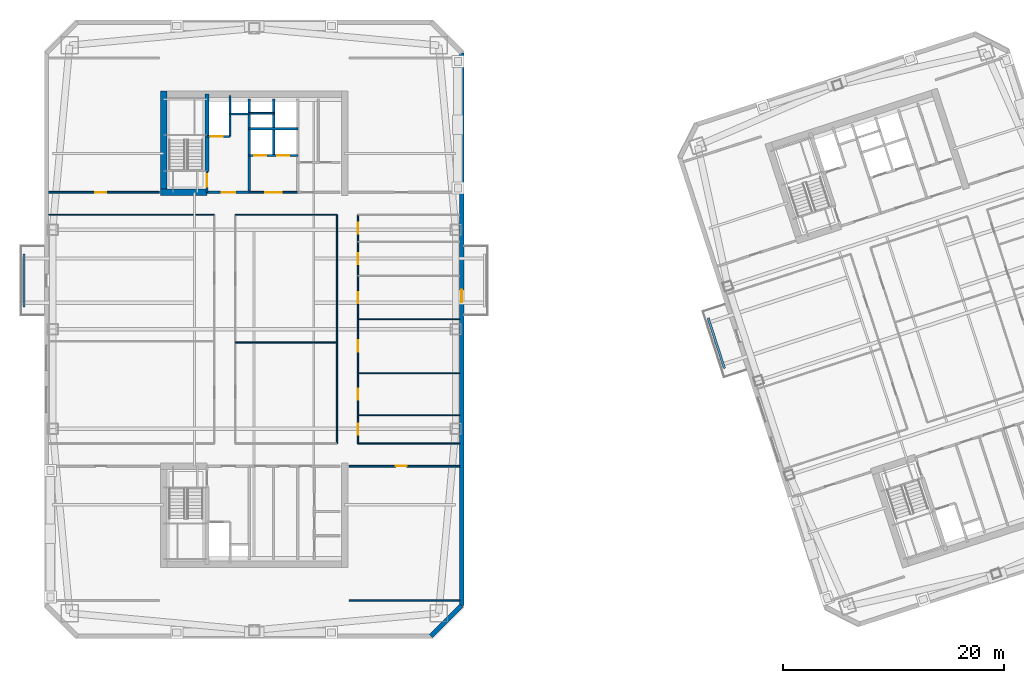
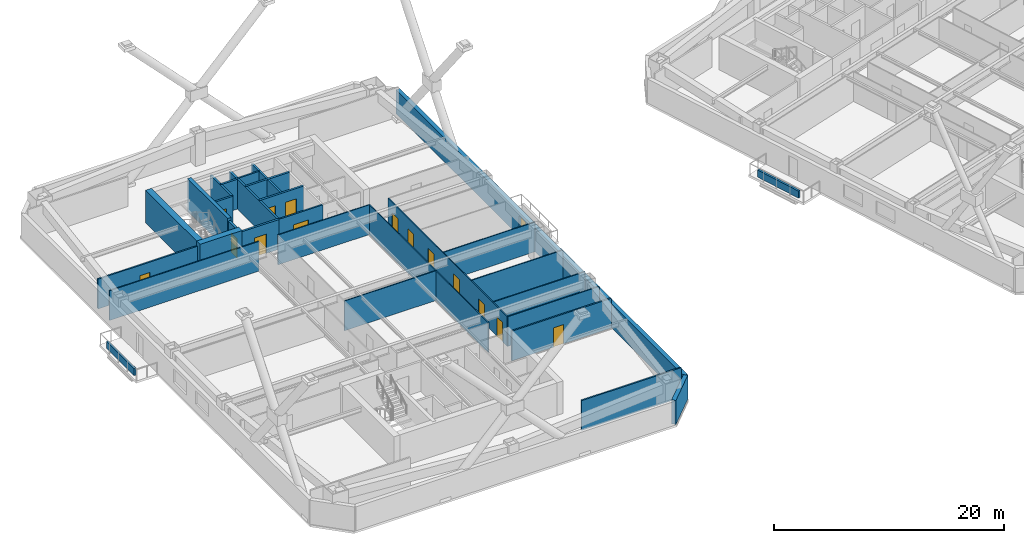
# One storey, part 7 of 17: 30 walls, 15 doors, 15 openings.
"""IFC4 building model written with IfcOpenShell, lengths in metres."""

import ifcopenshell
import ifcopenshell.guid

model = None  # the IFC model being written
_history = None  # IfcOwnerHistory: only IFC2X3 demands one
_inside = {}  # id of a spatial element -> (the spatial element, [elements in it])
_under = {}  # id of a project, library or spatial element -> (it, [spatial elements below it])
_declared = {}  # id of a project -> (the project, [libraries it declares])
_typed = {}  # id of a type object -> (the type object, [elements of that type])
_made_of = {}  # id of a material, layer set ... -> (it, [elements and type objects made of it])


def new_model(schema):
    """Start an empty IFC model of exactly this schema.

    Asked for "IFC4X3", IfcOpenShell would pick the latest addendum, in which some entities
    have other attributes; the version numbers below select the first issue.
    IFC2X3 requires an IfcOwnerHistory on every rooted entity: one is made here for all.
    """
    global model, _history
    if schema == "IFC4X3":
        model = ifcopenshell.file(schema_version=(4, 3, 0, 0))
    else:
        model = ifcopenshell.file(schema=schema)
    _inside.clear()
    _under.clear()
    _declared.clear()
    _typed.clear()
    _made_of.clear()
    _history = None
    if model.schema == "IFC2X3":
        org = make("IfcOrganization", Name="unknown")
        user = make(
            "IfcPersonAndOrganization",
            ThePerson=make("IfcPerson", FamilyName="unknown"),
            TheOrganization=org,
        )
        app = make(
            "IfcApplication",
            ApplicationDeveloper=org,
            Version="unknown",
            ApplicationFullName="unknown",
            ApplicationIdentifier="unknown",
        )
        _history = make(
            "IfcOwnerHistory",
            OwningUser=user,
            OwningApplication=app,
            ChangeAction="ADDED",
            CreationDate=0,
        )
    return model


def make(cls, **values):
    """One entity of the class cls with the attributes given. An attribute that is None is left unset."""
    return model.create_entity(
        cls, **{name: value for name, value in values.items() if value is not None}
    )


def rooted(cls, **values):
    """An entity with a GlobalId (a new one), such as an element, a storey or a relation."""
    return make(cls, GlobalId=ifcopenshell.guid.new(), OwnerHistory=_history, **values)


def si_unit(unit_type, name, prefix=None):
    """IfcSIUnit, for example si_unit("LENGTHUNIT", "METRE", prefix="MILLI")."""
    return make("IfcSIUnit", UnitType=unit_type, Prefix=prefix, Name=name)


def assignment(units):
    """IfcUnitAssignment: the units of a project."""
    return None if units is None else make("IfcUnitAssignment", Units=units)


def point(xyz):
    """IfcCartesianPoint."""
    return None if xyz is None else make("IfcCartesianPoint", Coordinates=xyz)


def direction(xyz):
    """IfcDirection."""
    return None if xyz is None else make("IfcDirection", DirectionRatios=xyz)


def frame(location, z_axis=None, x_axis=None):
    """IfcAxis2Placement3D, a coordinate frame: its origin and axes. An axis left out is left unset."""
    return make(
        "IfcAxis2Placement3D",
        Location=point(location),
        Axis=direction(z_axis),
        RefDirection=direction(x_axis),
    )


def frame_2d(location, x_axis=None):
    """IfcAxis2Placement2D, a coordinate frame in the plane: its origin and x axis."""
    return make(
        "IfcAxis2Placement2D", Location=point(location), RefDirection=direction(x_axis)
    )


def origin():
    """The frame at (0, 0, 0) with its axes left unset."""
    return frame((0.0, 0.0, 0.0))


def place(relative_to, where):
    """IfcLocalPlacement: puts the frame where relative to a parent placement (None: the world)."""
    return make(
        "IfcLocalPlacement", PlacementRelTo=relative_to, RelativePlacement=where
    )


def context(
    kind, dimensions, precision=None, world=None, true_north=None, identifier=None
):
    """IfcGeometricRepresentationContext, for example the 3D "Model" context."""
    return make(
        "IfcGeometricRepresentationContext",
        ContextIdentifier=identifier,
        ContextType=kind,
        CoordinateSpaceDimension=dimensions,
        Precision=precision,
        WorldCoordinateSystem=world,
        TrueNorth=true_north,
    )


def subcontext(parent, identifier, kind, view, scale=None):
    """IfcGeometricRepresentationSubContext, for example "Body" below "Model"."""
    return make(
        "IfcGeometricRepresentationSubContext",
        ContextIdentifier=identifier,
        ContextType=kind,
        ParentContext=parent,
        TargetScale=scale,
        TargetView=view,
    )


def project(units=None, contexts=None):
    """IfcProject with its units and contexts."""
    return rooted(
        "IfcProject",
        Name="project",
        RepresentationContexts=contexts,
        UnitsInContext=assignment(units),
    )


def spatial(cls, under=None, at=None, **own):
    """A site, building, storey or space (cls), placed at a placement, below another one or the project."""
    s = rooted(cls, ObjectPlacement=at, **own)
    if under is not None:
        _under.setdefault(under.id(), (under, []))[1].append(s)
    return s


def profile(cls, at=None, kind="AREA", **sizes):
    """A parametric profile (cls). Its sizes go by their IFC names, for example OverallWidth=200.0."""
    return make(cls, ProfileType=kind, Position=at, **sizes)


def rectangle(**sizes):
    """IfcRectangleProfileDef."""
    return profile("IfcRectangleProfileDef", **sizes)


def extrude(swept, where, along, depth):
    """IfcExtrudedAreaSolid: the profile swept, set in the frame where, extruded along a direction by depth."""
    return make(
        "IfcExtrudedAreaSolid",
        SweptArea=swept,
        Position=where,
        ExtrudedDirection=direction(along),
        Depth=depth,
    )


def shape(context_of_items, identifier, shape_type, items):
    """IfcShapeRepresentation: the items that make up one representation, for example the "Body"."""
    return make(
        "IfcShapeRepresentation",
        ContextOfItems=context_of_items,
        RepresentationIdentifier=identifier,
        RepresentationType=shape_type,
        Items=items,
    )


def material(Name=None, Category=None):
    """IfcMaterial."""
    return make("IfcMaterial", Name=Name, Category=Category)


def layer(
    of_material, thickness, ventilated=None, Name=None, Category=None, Priority=None
):
    """IfcMaterialLayer: one layer of a wall or slab, of a material (None: an air gap)."""
    return make(
        "IfcMaterialLayer",
        Material=of_material,
        LayerThickness=thickness,
        IsVentilated=ventilated,
        Name=Name,
        Category=Category,
        Priority=Priority,
    )


def layer_set(layers, Name=None):
    """IfcMaterialLayerSet."""
    return make("IfcMaterialLayerSet", MaterialLayers=layers, LayerSetName=Name)


def made_of(thing, what):
    """Note that an element or type object is made of a material, layer set ...; save() writes the relation."""
    if what is not None:
        _made_of.setdefault(what.id(), (what, []))[1].append(thing)
    return thing


def type_object(cls, material=None, **own):
    """A type object (cls), such as IfcWallType, which elements share."""
    return made_of(rooted(cls, **own), material)


def element(
    cls,
    number,
    at=None,
    inside=None,
    cuts=None,
    type_object=None,
    material=None,
    context=None,
    identifier="Body",
    shape_type=None,
    held_by="IfcProductDefinitionShape",
    body=None,
    shapes=None,
    **own,
):
    """One element of the class cls, such as IfcWall. Its Tag is "e" and its number.

    at: its placement. inside: the storey or other place that contains it. cuts: it is an
    opening in that element (IfcRelVoidsElement). A single representation is given by context,
    identifier, shape_type and body (its items); several are given by shapes. held_by: the class
    of the entity that holds the representations. save() writes the other relations.
    """
    e = rooted(cls, Tag="e%d" % number, ObjectPlacement=at, **own)
    if body is not None:
        shapes = [shape(context, identifier, shape_type, body)]
    if shapes is not None:
        e.Representation = make(held_by, Representations=shapes)
    if inside is not None:
        _inside.setdefault(inside.id(), (inside, []))[1].append(e)
    if cuts is not None:
        rooted(
            "IfcRelVoidsElement", RelatingBuildingElement=cuts, RelatedOpeningElement=e
        )
    if type_object is not None:
        _typed.setdefault(type_object.id(), (type_object, []))[1].append(e)
    return made_of(e, material)


def fill(opening, filler):
    """IfcRelFillsElement: the door or window that sits in an opening."""
    return rooted(
        "IfcRelFillsElement",
        RelatingOpeningElement=opening,
        RelatedBuildingElement=filler,
    )


def aggregate(whole, parts):
    """IfcRelAggregates: a whole, such as a stair, and the parts it consists of."""
    return rooted("IfcRelAggregates", RelatingObject=whole, RelatedObjects=parts)


def save(model, path):
    """Write the relations noted so far, then the file.

    IfcRelAggregates (storeys below a building ...), IfcRelContainedInSpatialStructure (elements
    in a storey), IfcRelDefinesByType, IfcRelAssociatesMaterial and IfcRelDeclares: one each for
    every whole, place, type object, material and project.
    """
    for whole, parts in _under.values():
        aggregate(whole, parts)
    for where, things in _inside.values():
        rooted(
            "IfcRelContainedInSpatialStructure",
            RelatedElements=things,
            RelatingStructure=where,
        )
    for kind, things in _typed.values():
        rooted("IfcRelDefinesByType", RelatedObjects=things, RelatingType=kind)
    for what, things in _made_of.values():
        rooted("IfcRelAssociatesMaterial", RelatedObjects=things, RelatingMaterial=what)
    for by, libraries in _declared.values():
        rooted("IfcRelDeclares", RelatingContext=by, RelatedDefinitions=libraries)
    model.write(path)


model = new_model("IFC4")

# Units and contexts
model_context = context("Model", 3, precision=1e-05, world=origin(), true_north=direction((0.0, 1.0)))
body_context = subcontext(model_context, "Body", "Model", "MODEL_VIEW")
ifc_project = project(units=[si_unit("LENGTHUNIT", "METRE"), si_unit("AREAUNIT", "SQUARE_METRE"), si_unit("VOLUMEUNIT", "CUBIC_METRE"), si_unit("PLANEANGLEUNIT", "RADIAN"), si_unit("MASSUNIT", "GRAM", prefix="KILO")], contexts=[model_context])

# Site, building, storey
site_placement = place(None, origin())
site = spatial("IfcSite", under=ifc_project, at=site_placement, CompositionType="ELEMENT")
building_placement = place(site_placement, origin())
building = spatial("IfcBuilding", under=site, at=building_placement, Name="Qiaolan Cultural Towers", CompositionType="ELEMENT")
storey_placement = place(building_placement, frame((0.0, 0.0, 134.550048828125)))
storey = spatial("IfcBuildingStorey", under=building, at=storey_placement, Name="L35", CompositionType="ELEMENT", Elevation=134.550048828125)

# Walls
ifc_material_1 = material(Name="Concrete C50", Category="concrete")
ifc_layer_1 = layer(ifc_material_1, 0.35009765625)
ifc_layer_set_1 = layer_set([ifc_layer_1], Name="Concrete C50")
wall_type_1 = type_object("IfcWallType", Name="WL-CORE-350", PredefinedType="SHEAR", material=ifc_layer_set_1)
wall_1_placement = place(storey_placement, frame((25.719970703125, 48.300048828125, 0.0), z_axis=(0.0, 0.0, 1.0), x_axis=(0.0, 1.0, 0.0)))
element("IfcWall", 1, at=wall_1_placement, inside=storey, type_object=wall_type_1, Name="L35 T1-CN Stair Core Dividing Web", PredefinedType="SHEAR", context=body_context, shape_type="SweptSolid", body=[
    extrude(rectangle(XDim=6.97998046875, YDim=0.35009765625, at=frame_2d((3.489990234375, 0.0))), origin(), (0.0, 0.0, 1.0), 3.449951171875),
])
ifc_material_2 = material(Name="Concrete C55", Category="concrete")
ifc_layer_2 = layer(ifc_material_2, 0.60009765625)
ifc_layer_set_2 = layer_set([ifc_layer_2], Name="Concrete C55")
wall_type_2 = type_object("IfcWallType", Name="WL-CORE-600", PredefinedType="SHEAR", material=ifc_layer_set_2)
wall_2_placement = place(storey_placement, frame((21.800048828125, 46.10009765625, 0.0), z_axis=(0.0, 0.0, 1.0), x_axis=(0.0, 1.0, 0.0)))
element("IfcWall", 2, at=wall_2_placement, inside=storey, type_object=wall_type_2, Name="L35 T1-CN West Core Shear Wall", PredefinedType="SHEAR", context=body_context, shape_type="SweptSolid", body=[
    extrude(rectangle(XDim=9.47998046875, YDim=0.60009765625, at=frame_2d((4.739990234375, 0.0))), origin(), (0.0, 0.0, 1.0), 3.449951171875),
])
wall_3_placement = place(storey_placement, frame((21.5, 46.39990234375, 0.0), z_axis=(0.0, 0.0, 1.0), x_axis=(1.0, 0.0, 0.0)))
element("IfcWall", 3, at=wall_3_placement, inside=storey, type_object=wall_type_2, Name="L35 T1-CN Stair Front Shear Wall", PredefinedType="SHEAR", context=body_context, shape_type="SweptSolid", body=[
    extrude(rectangle(XDim=4.219970703125, YDim=0.60009765625, at=frame_2d((2.10986328125, 0.0))), origin(), (0.0, 0.0, 1.0), 3.449951171875),
])

# Wall, opening, door
ifc_material_3 = material(Name="Precast Concrete C50 Honed Stone Pier", Category="masonry")
ifc_layer_3 = layer(ifc_material_3, 0.39990234375)
ifc_layer_set_3 = layer_set([ifc_layer_3], Name="Precast Concrete C50 Honed Stone Pier")
wall_type_3 = type_object("IfcWallType", Name="WL-EXT-PIER-400", PredefinedType="SOLIDWALL", material=ifc_layer_set_3)
wall_4_placement = place(storey_placement, frame((48.800048828125, 59.0, 0.0), z_axis=(0.0, 0.0, 1.0), x_axis=(0.0, -1.0, 0.0)))
wall_4 = element("IfcWall", 4, at=wall_4_placement, inside=storey, type_object=wall_type_3, Name="L35 West Tower Precast Pier Facade Wall F5", PredefinedType="SOLIDWALL", context=body_context, shape_type="SweptSolid", body=[
    extrude(rectangle(XDim=50.0, YDim=0.39990234375, at=frame_2d((25.0, 0.0))), origin(), (0.0, 0.0, 1.0), 2.550048828125),
])
opening_1_placement = place(wall_4_placement, frame((21.435546875, 0.0, 0.0)))
opening_1 = element("IfcOpeningElement", 5, at=opening_1_placement, cuts=wall_4, Name="Opening BD-01", PredefinedType="OPENING", context=body_context, shape_type="SweptSolid", body=[
    extrude(rectangle(XDim=1.10009765625, YDim=2.14990234375, at=frame_2d((0.550048828125, 1.074951171875))), frame((0.0, 0.2099609375, 0.0), z_axis=(0.0, -1.0, 0.0), x_axis=(1.0, 0.0, 0.0)), (0.0, 0.0, 1.0), 0.419921875),
])
ifc_material_4 = material(Name="Thermally Broken Aluminium Glazed Terrace Door", Category="aluminium")
door_type_1 = type_object("IfcDoorType", Name="DR-BAL-1100", OperationType="NOTDEFINED", PredefinedType="DOOR", material=ifc_material_4)
door_1_placement = place(opening_1_placement, origin())
door_1 = element("IfcDoor", 6, at=door_1_placement, inside=storey, type_object=door_type_1, Name="L35 T1 East Tree Balcony Door", OperationType="SINGLE_SWING_RIGHT", OverallHeight=2.14990234375, OverallWidth=1.10009765625, PredefinedType="DOOR", context=body_context, shape_type="SweptSolid", body=[
    extrude(rectangle(XDim=1.10009765625, YDim=2.14990234375, at=frame_2d((0.550048828125, 1.074951171875))), frame((0.0, 0.02490234375, 0.0), z_axis=(0.0, -1.0, 0.0), x_axis=(1.0, 0.0, 0.0)), (0.0, 0.0, 1.0), 0.050048828125),
])
fill(opening_1, door_1)

# Wall
wall_5_placement = place(storey_placement, frame((48.800048828125, 9.0, 0.0), z_axis=(0.0, 0.0, 1.0), x_axis=(-0.707106781187, -0.707106781187, 0.0)))
element("IfcWall", 7, at=wall_5_placement, inside=storey, type_object=wall_type_3, Name="L35 West Tower Precast Pier Facade Wall F6", PredefinedType="SOLIDWALL", context=body_context, shape_type="SweptSolid", body=[
    extrude(rectangle(XDim=3.9599609375, YDim=0.39990234375, at=frame_2d((1.97998046875, 0.0))), origin(), (0.0, 0.0, 1.0), 2.550048828125),
])

# Wall, opening, door
ifc_material_5 = material(Name="Concrete C35 Fire Wall", Category="concrete")
ifc_layer_4 = layer(ifc_material_5, 0.199951171875)
ifc_layer_set_4 = layer_set([ifc_layer_4], Name="Concrete C35 Fire Wall")
wall_type_4 = type_object("IfcWallType", Name="WL-FIRE-200", PredefinedType="PARTITIONING", material=ifc_layer_set_4)
wall_6_placement = place(storey_placement, frame((25.719970703125, 46.39990234375, 0.0), z_axis=(0.0, 0.0, 1.0), x_axis=(0.0, 1.0, 0.0)))
wall_6 = element("IfcWall", 8, at=wall_6_placement, inside=storey, type_object=wall_type_4, Name="L35 T1-CN Smokeproof Stair Entry Wall", PredefinedType="PARTITIONING", context=body_context, shape_type="SweptSolid", body=[
    extrude(rectangle(XDim=1.900146484375, YDim=0.199951171875, at=frame_2d((0.9501953125, 0.0))), origin(), (0.0, 0.0, 1.0), 3.155029296875),
])
opening_2_placement = place(wall_6_placement, frame((0.52001953125, 0.0, 0.0)))
opening_2 = element("IfcOpeningElement", 9, at=opening_2_placement, cuts=wall_6, Name="Opening FD-04", PredefinedType="OPENING", context=body_context, shape_type="SweptSolid", body=[
    extrude(rectangle(XDim=1.10009765625, YDim=2.050048828125, at=frame_2d((0.550048828125, 1.02490234375))), frame((0.0, 0.10986328125, 0.0), z_axis=(0.0, -1.0, 0.0), x_axis=(1.0, 0.0, 0.0)), (0.0, 0.0, 1.0), 0.219970703125),
])
ifc_material_6 = material(Name="Galvanized Steel Command Fire Door", Category="steel")
door_type_2 = type_object("IfcDoorType", Name="DR-FD90-1100", OperationType="NOTDEFINED", PredefinedType="DOOR", material=ifc_material_6)
door_2_placement = place(opening_2_placement, origin())
door_2 = element("IfcDoor", 10, at=door_2_placement, inside=storey, type_object=door_type_2, Name="L35 ST-W2 Smokeproof Stair Fire Door", OperationType="SINGLE_SWING_LEFT", OverallHeight=2.050048828125, OverallWidth=1.10009765625, PredefinedType="DOOR", context=body_context, shape_type="SweptSolid", body=[
    extrude(rectangle(XDim=1.10009765625, YDim=2.050048828125, at=frame_2d((0.550048828125, 1.02490234375))), frame((0.0, 0.02490234375, 0.0), z_axis=(0.0, -1.0, 0.0), x_axis=(1.0, 0.0, 0.0)), (0.0, 0.0, 1.0), 0.050048828125),
])
fill(opening_2, door_2)

# Wall
wall_7_placement = place(storey_placement, frame((29.550048828125, 46.39990234375, 0.0), z_axis=(0.0, 0.0, 1.0), x_axis=(0.0, 1.0, 0.0)))
element("IfcWall", 11, at=wall_7_placement, inside=storey, type_object=wall_type_4, Name="L35 T1-CN Firefighting Zone Wall", PredefinedType="PARTITIONING", context=body_context, shape_type="SweptSolid", body=[
    extrude(rectangle(XDim=8.43017578125, YDim=0.199951171875, at=frame_2d((4.215087890625, 0.0))), origin(), (0.0, 0.0, 1.0), 3.155029296875),
])

# Wall, opening, door
wall_8_placement = place(storey_placement, frame((25.719970703125, 46.39990234375, 0.0), z_axis=(0.0, 0.0, 1.0), x_axis=(1.0, 0.0, 0.0)))
wall_8 = element("IfcWall", 12, at=wall_8_placement, inside=storey, type_object=wall_type_4, Name="L35 T1-CN Firefighting Lobby Front Wall", PredefinedType="PARTITIONING", context=body_context, shape_type="SweptSolid", body=[
    extrude(rectangle(XDim=3.830078125, YDim=0.199951171875, at=frame_2d((1.9150390625, 0.0))), origin(), (0.0, 0.0, 1.0), 3.155029296875),
])
opening_3_placement = place(wall_8_placement, frame((1.35009765625, 0.0, 0.0)))
opening_3 = element("IfcOpeningElement", 13, at=opening_3_placement, cuts=wall_8, Name="Opening FD-03", PredefinedType="OPENING", context=body_context, shape_type="SweptSolid", body=[
    extrude(rectangle(XDim=1.199951171875, YDim=2.050048828125, at=frame_2d((0.60009765625, 1.02490234375))), frame((0.0, 0.10986328125, 0.0), z_axis=(0.0, -1.0, 0.0), x_axis=(1.0, 0.0, 0.0)), (0.0, 0.0, 1.0), 0.219970703125),
])
ifc_material_7 = material(Name="Galvanized Steel Smokeproof Lobby Fire Door", Category="steel")
door_type_3 = type_object("IfcDoorType", Name="DR-FD90-1200", OperationType="NOTDEFINED", PredefinedType="DOOR", material=ifc_material_7)
door_3_placement = place(opening_3_placement, origin())
door_3 = element("IfcDoor", 14, at=door_3_placement, inside=storey, type_object=door_type_3, Name="L35 FFL-W2 Firefighting Lobby Fire Door", OperationType="SINGLE_SWING_LEFT", OverallHeight=2.050048828125, OverallWidth=1.199951171875, PredefinedType="DOOR", context=body_context, shape_type="SweptSolid", body=[
    extrude(rectangle(XDim=1.199951171875, YDim=2.050048828125, at=frame_2d((0.60009765625, 1.02490234375))), frame((0.0, 0.02490234375, 0.0), z_axis=(0.0, -1.0, 0.0), x_axis=(1.0, 0.0, 0.0)), (0.0, 0.0, 1.0), 0.050048828125),
])
fill(opening_3, door_3)

wall_9_placement = place(storey_placement, frame((25.719970703125, 51.449951171875, 0.0), z_axis=(0.0, 0.0, 1.0), x_axis=(1.0, 0.0, 0.0)))
wall_9 = element("IfcWall", 15, at=wall_9_placement, inside=storey, type_object=wall_type_4, Name="L35 T1-CN Firefighting Shaft Front Wall", PredefinedType="PARTITIONING", context=body_context, shape_type="SweptSolid", body=[
    extrude(rectangle(XDim=2.10009765625, YDim=0.199951171875, at=frame_2d((1.050048828125, 0.0))), origin(), (0.0, 0.0, 1.0), 3.155029296875),
])
opening_4_placement = place(wall_9_placement, frame((0.35009765625, 0.0, 0.0)))
opening_4 = element("IfcOpeningElement", 16, at=opening_4_placement, cuts=wall_9, Name="Opening LD-01", PredefinedType="OPENING", context=body_context, shape_type="SweptSolid", body=[
    extrude(rectangle(XDim=1.10009765625, YDim=2.050048828125, at=frame_2d((0.550048828125, 1.02490234375))), frame((0.0, 0.10986328125, 0.0), z_axis=(0.0, -1.0, 0.0), x_axis=(1.0, 0.0, 0.0)), (0.0, 0.0, 1.0), 0.219970703125),
])
ifc_material_8 = material(Name="Brushed Stainless Steel S30408 Centre-Parting Lift Landing Door", Category="steel")
door_type_4 = type_object("IfcDoorType", Name="DR-LIFT-1100", OperationType="NOTDEFINED", PredefinedType="DOOR", material=ifc_material_8)
door_4_placement = place(opening_4_placement, origin())
door_4 = element("IfcDoor", 17, at=door_4_placement, inside=storey, type_object=door_type_4, Name="L35 FFL-W2 Firefighting Lift Landing Door", OperationType="DOUBLE_DOOR_SLIDING", OverallHeight=2.050048828125, OverallWidth=1.10009765625, PredefinedType="DOOR", context=body_context, shape_type="SweptSolid", body=[
    extrude(rectangle(XDim=1.10009765625, YDim=2.050048828125, at=frame_2d((0.550048828125, 1.02490234375))), frame((0.0, 0.02490234375, 0.0), z_axis=(0.0, -1.0, 0.0), x_axis=(1.0, 0.0, 0.0)), (0.0, 0.0, 1.0), 0.050048828125),
])
fill(opening_4, door_4)

# Walls
wall_10_placement = place(storey_placement, frame((27.820068359375, 51.449951171875, 0.0), z_axis=(0.0, 0.0, 1.0), x_axis=(0.0, 1.0, 0.0)))
element("IfcWall", 18, at=wall_10_placement, inside=storey, type_object=wall_type_4, Name="L35 T1-CN Firefighting Hoistway East Wall", PredefinedType="PARTITIONING", context=body_context, shape_type="SweptSolid", body=[
    extrude(rectangle(XDim=3.699951171875, YDim=0.199951171875, at=frame_2d((1.85009765625, 0.0))), origin(), (0.0, 0.0, 1.0), 3.155029296875),
])
wall_11_placement = place(storey_placement, frame((27.820068359375, 53.47998046875, 0.0), z_axis=(0.0, 0.0, 1.0), x_axis=(1.0, 0.0, 0.0)))
element("IfcWall", 19, at=wall_11_placement, inside=storey, type_object=wall_type_4, Name="L35 T1-CN Pressurization Shaft Front Wall", PredefinedType="PARTITIONING", context=body_context, shape_type="SweptSolid", body=[
    extrude(rectangle(XDim=1.72998046875, YDim=0.199951171875, at=frame_2d((0.864990234375, 0.0))), origin(), (0.0, 0.0, 1.0), 3.155029296875),
])

# Wall, openings, doors
wall_12_placement = place(storey_placement, frame((29.550048828125, 49.719970703125, 0.0), z_axis=(0.0, 0.0, 1.0), x_axis=(1.0, 0.0, 0.0)))
wall_12 = element("IfcWall", 20, at=wall_12_placement, inside=storey, type_object=wall_type_4, Name="L35 T1-CN Passenger Lift Shaft Front Wall", PredefinedType="PARTITIONING", context=body_context, shape_type="SweptSolid", body=[
    extrude(rectangle(XDim=4.39990234375, YDim=0.199951171875, at=frame_2d((2.199951171875, 0.0))), origin(), (0.0, 0.0, 1.0), 3.155029296875),
])
opening_5_placement = place(wall_12_placement, frame((0.449951171875, 0.0, 0.0)))
opening_5 = element("IfcOpeningElement", 21, at=opening_5_placement, cuts=wall_12, Name="Opening LD-01", PredefinedType="OPENING", context=body_context, shape_type="SweptSolid", body=[
    extrude(rectangle(XDim=1.10009765625, YDim=2.050048828125, at=frame_2d((0.550048828125, 1.02490234375))), frame((0.0, 0.10986328125, 0.0), z_axis=(0.0, -1.0, 0.0), x_axis=(1.0, 0.0, 0.0)), (0.0, 0.0, 1.0), 0.219970703125),
])
opening_6_placement = place(wall_12_placement, frame((2.550048828125, 0.0, 0.0)))
opening_6 = element("IfcOpeningElement", 22, at=opening_6_placement, cuts=wall_12, Name="Opening LD-01", PredefinedType="OPENING", context=body_context, shape_type="SweptSolid", body=[
    extrude(rectangle(XDim=1.10009765625, YDim=2.050048828125, at=frame_2d((0.550048828125, 1.02490234375))), frame((0.0, 0.10986328125, 0.0), z_axis=(0.0, -1.0, 0.0), x_axis=(1.0, 0.0, 0.0)), (0.0, 0.0, 1.0), 0.219970703125),
])
door_5_placement = place(opening_5_placement, origin())
door_5 = element("IfcDoor", 23, at=door_5_placement, inside=storey, type_object=door_type_4, Name="L35 Passenger Lift 1 Landing Door", OperationType="DOUBLE_DOOR_SLIDING", OverallHeight=2.050048828125, OverallWidth=1.10009765625, PredefinedType="DOOR", context=body_context, shape_type="SweptSolid", body=[
    extrude(rectangle(XDim=1.10009765625, YDim=2.050048828125, at=frame_2d((0.550048828125, 1.02490234375))), frame((0.0, 0.02490234375, 0.0), z_axis=(0.0, -1.0, 0.0), x_axis=(1.0, 0.0, 0.0)), (0.0, 0.0, 1.0), 0.050048828125),
])
fill(opening_5, door_5)
door_6_placement = place(opening_6_placement, origin())
door_6 = element("IfcDoor", 24, at=door_6_placement, inside=storey, type_object=door_type_4, Name="L35 Passenger Lift 2 Landing Door", OperationType="DOUBLE_DOOR_SLIDING", OverallHeight=2.050048828125, OverallWidth=1.10009765625, PredefinedType="DOOR", context=body_context, shape_type="SweptSolid", body=[
    extrude(rectangle(XDim=1.10009765625, YDim=2.050048828125, at=frame_2d((0.550048828125, 1.02490234375))), frame((0.0, 0.02490234375, 0.0), z_axis=(0.0, -1.0, 0.0), x_axis=(1.0, 0.0, 0.0)), (0.0, 0.0, 1.0), 0.050048828125),
])
fill(opening_6, door_6)

# Walls
wall_13_placement = place(storey_placement, frame((31.780029296875, 49.719970703125, 0.0), z_axis=(0.0, 0.0, 1.0), x_axis=(0.0, 1.0, 0.0)))
element("IfcWall", 25, at=wall_13_placement, inside=storey, type_object=wall_type_4, Name="L35 T1-CN Lift Shaft Divider Wall", PredefinedType="PARTITIONING", context=body_context, shape_type="SweptSolid", body=[
    extrude(rectangle(XDim=5.110107421875, YDim=0.199951171875, at=frame_2d((2.55517578125, 0.0))), origin(), (0.0, 0.0, 1.0), 3.155029296875),
])
wall_14_placement = place(storey_placement, frame((29.550048828125, 52.14990234375, 0.0), z_axis=(0.0, 0.0, 1.0), x_axis=(1.0, 0.0, 0.0)))
element("IfcWall", 26, at=wall_14_placement, inside=storey, type_object=wall_type_4, Name="L35 T1-CN Passenger Lift Shaft Back Wall", PredefinedType="PARTITIONING", context=body_context, shape_type="SweptSolid", body=[
    extrude(rectangle(XDim=4.39990234375, YDim=0.199951171875, at=frame_2d((2.199951171875, 0.0))), origin(), (0.0, 0.0, 1.0), 3.155029296875),
])
ifc_material_9 = material(Name="Acoustic Double-Glazed Partition Frame", Category="glass")
ifc_layer_5 = layer(ifc_material_9, 0.10009765625)
ifc_layer_set_5 = layer_set([ifc_layer_5], Name="Acoustic Double-Glazed Partition Frame")
wall_type_5 = type_object("IfcWallType", Name="WL-GLAZED-100", PredefinedType="MOVABLE", material=ifc_layer_set_5)
wall_15_placement = place(storey_placement, frame((39.39990234375, 23.64990234375, 0.0), z_axis=(0.0, 0.0, 1.0), x_axis=(1.0, 0.0, 0.0)))
element("IfcWall", 27, at=wall_15_placement, inside=storey, type_object=wall_type_5, Name="L35 T1 Interior Wall", PredefinedType="MOVABLE", context=body_context, shape_type="SweptSolid", body=[
    extrude(rectangle(XDim=9.2001953125, YDim=0.10009765625, at=frame_2d((4.60009765625, 0.0))), origin(), (0.0, 0.0, 1.0), 3.155029296875),
])
wall_16_placement = place(storey_placement, frame((11.39990234375, 44.35009765625, 0.0), z_axis=(0.0, 0.0, 1.0), x_axis=(1.0, 0.0, 0.0)))
element("IfcWall", 28, at=wall_16_placement, inside=storey, type_object=wall_type_5, Name="L35 T1 Interior Wall", PredefinedType="MOVABLE", context=body_context, shape_type="SweptSolid", body=[
    extrude(rectangle(XDim=15.0, YDim=0.10009765625, at=frame_2d((7.5, 0.0))), origin(), (0.0, 0.0, 1.0), 3.155029296875),
])
wall_17_placement = place(storey_placement, frame((28.300048828125, 44.35009765625, 0.0), z_axis=(0.0, 0.0, 1.0), x_axis=(1.0, 0.0, 0.0)))
element("IfcWall", 29, at=wall_17_placement, inside=storey, type_object=wall_type_5, Name="L35 T1 Interior Wall", PredefinedType="MOVABLE", context=body_context, shape_type="SweptSolid", body=[
    extrude(rectangle(XDim=9.199951171875, YDim=0.10009765625, at=frame_2d((4.60009765625, 0.0))), origin(), (0.0, 0.0, 1.0), 3.155029296875),
])
wall_18_placement = place(storey_placement, frame((37.5, 23.64990234375, 0.0), z_axis=(0.0, 0.0, 1.0), x_axis=(0.0, 1.0, 0.0)))
element("IfcWall", 30, at=wall_18_placement, inside=storey, type_object=wall_type_5, Name="L35 T1 Interior Wall", PredefinedType="MOVABLE", context=body_context, shape_type="SweptSolid", body=[
    extrude(rectangle(XDim=20.7001953125, YDim=0.10009765625, at=frame_2d((10.35009765625, 0.0))), origin(), (0.0, 0.0, 1.0), 3.155029296875),
])

# Wall, openings, doors
wall_19_placement = place(storey_placement, frame((39.39990234375, 23.64990234375, 0.0), z_axis=(0.0, 0.0, 1.0), x_axis=(0.0, 1.0, 0.0)))
wall_19 = element("IfcWall", 31, at=wall_19_placement, inside=storey, type_object=wall_type_5, Name="L35 T1 Interior Wall", PredefinedType="MOVABLE", context=body_context, shape_type="SweptSolid", body=[
    extrude(rectangle(XDim=20.7001953125, YDim=0.10009765625, at=frame_2d((10.35009765625, 0.0))), origin(), (0.0, 0.0, 1.0), 3.155029296875),
])
opening_7_placement = place(wall_19_placement, frame((0.77490234375, 0.0, 0.0)))
opening_7 = element("IfcOpeningElement", 32, at=opening_7_placement, cuts=wall_19, Name="Opening ID-04", PredefinedType="OPENING", context=body_context, shape_type="SweptSolid", body=[
    extrude(rectangle(XDim=1.0, YDim=2.050048828125, at=frame_2d((0.5, 1.02490234375))), frame((0.0, 0.06005859375, 0.0), z_axis=(0.0, -1.0, 0.0), x_axis=(1.0, 0.0, 0.0)), (0.0, 0.0, 1.0), 0.1201171875),
])
opening_8_placement = place(wall_19_placement, frame((3.949951171875, 0.0, 0.0)))
opening_8 = element("IfcOpeningElement", 33, at=opening_8_placement, cuts=wall_19, Name="Opening ID-04", PredefinedType="OPENING", context=body_context, shape_type="SweptSolid", body=[
    extrude(rectangle(XDim=1.0, YDim=2.050048828125, at=frame_2d((0.5, 1.02490234375))), frame((0.0, 0.06005859375, 0.0), z_axis=(0.0, -1.0, 0.0), x_axis=(1.0, 0.0, 0.0)), (0.0, 0.0, 1.0), 0.1201171875),
])
opening_9_placement = place(wall_19_placement, frame((8.298095703125, 0.0, 0.0)))
opening_9 = element("IfcOpeningElement", 34, at=opening_9_placement, cuts=wall_19, Name="Opening ID-07", PredefinedType="OPENING", context=body_context, shape_type="SweptSolid", body=[
    extrude(rectangle(XDim=1.050048828125, YDim=2.050048828125, at=frame_2d((0.52490234375, 1.02490234375))), frame((0.0, 0.06005859375, 0.0), z_axis=(0.0, -1.0, 0.0), x_axis=(1.0, 0.0, 0.0)), (0.0, 0.0, 1.0), 0.1201171875),
])
opening_10_placement = place(wall_19_placement, frame((12.71240234375, 0.0, 0.0)))
opening_10 = element("IfcOpeningElement", 35, at=opening_10_placement, cuts=wall_19, Name="Opening ID-04", PredefinedType="OPENING", context=body_context, shape_type="SweptSolid", body=[
    extrude(rectangle(XDim=1.0, YDim=2.050048828125, at=frame_2d((0.5, 1.02490234375))), frame((0.0, 0.06005859375, 0.0), z_axis=(0.0, -1.0, 0.0), x_axis=(1.0, 0.0, 0.0)), (0.0, 0.0, 1.0), 0.1201171875),
])
opening_11_placement = place(wall_19_placement, frame((16.2314453125, 0.0, 0.0)))
opening_11 = element("IfcOpeningElement", 36, at=opening_11_placement, cuts=wall_19, Name="Opening ID-04", PredefinedType="OPENING", context=body_context, shape_type="SweptSolid", body=[
    extrude(rectangle(XDim=1.0, YDim=2.050048828125, at=frame_2d((0.5, 1.02490234375))), frame((0.0, 0.06005859375, 0.0), z_axis=(0.0, -1.0, 0.0), x_axis=(1.0, 0.0, 0.0)), (0.0, 0.0, 1.0), 0.1201171875),
])
opening_12_placement = place(wall_19_placement, frame((18.991943359375, 0.0, 0.0)))
opening_12 = element("IfcOpeningElement", 37, at=opening_12_placement, cuts=wall_19, Name="Opening ID-04", PredefinedType="OPENING", context=body_context, shape_type="SweptSolid", body=[
    extrude(rectangle(XDim=1.0, YDim=2.050048828125, at=frame_2d((0.5, 1.02490234375))), frame((0.0, 0.06005859375, 0.0), z_axis=(0.0, -1.0, 0.0), x_axis=(1.0, 0.0, 0.0)), (0.0, 0.0, 1.0), 0.1201171875),
])
ifc_material_10 = material(Name="Oak Veneer Acoustic Office Door", Category="timber")
door_type_5 = type_object("IfcDoorType", Name="DR-INT-1000", OperationType="NOTDEFINED", PredefinedType="DOOR", material=ifc_material_10)
door_7_placement = place(opening_7_placement, origin())
door_7 = element("IfcDoor", 38, at=door_7_placement, inside=storey, type_object=door_type_5, Name="L35 T1 Staff Dining Kitchen Door", OperationType="SINGLE_SWING_RIGHT", OverallHeight=2.050048828125, OverallWidth=1.0, PredefinedType="DOOR", context=body_context, shape_type="SweptSolid", body=[
    extrude(rectangle(XDim=1.0, YDim=2.050048828125, at=frame_2d((0.5, 1.02490234375))), frame((0.0, 0.02490234375, 0.0), z_axis=(0.0, -1.0, 0.0), x_axis=(1.0, 0.0, 0.0)), (0.0, 0.0, 1.0), 0.050048828125),
])
fill(opening_7, door_7)
door_8_placement = place(opening_8_placement, origin())
door_8 = element("IfcDoor", 39, at=door_8_placement, inside=storey, type_object=door_type_5, Name="L35 T1 Staff Dining Kitchen Door", OperationType="SINGLE_SWING_LEFT", OverallHeight=2.050048828125, OverallWidth=1.0, PredefinedType="DOOR", context=body_context, shape_type="SweptSolid", body=[
    extrude(rectangle(XDim=1.0, YDim=2.050048828125, at=frame_2d((0.5, 1.02490234375))), frame((0.0, 0.02490234375, 0.0), z_axis=(0.0, -1.0, 0.0), x_axis=(1.0, 0.0, 0.0)), (0.0, 0.0, 1.0), 0.050048828125),
])
fill(opening_8, door_8)
door_9_placement = place(opening_10_placement, origin())
door_9 = element("IfcDoor", 40, at=door_9_placement, inside=storey, type_object=door_type_5, Name="L35 T1 Recreation Lounge Door", OperationType="SINGLE_SWING_LEFT", OverallHeight=2.050048828125, OverallWidth=1.0, PredefinedType="DOOR", context=body_context, shape_type="SweptSolid", body=[
    extrude(rectangle(XDim=1.0, YDim=2.050048828125, at=frame_2d((0.5, 1.02490234375))), frame((0.0, 0.02490234375, 0.0), z_axis=(0.0, -1.0, 0.0), x_axis=(1.0, 0.0, 0.0)), (0.0, 0.0, 1.0), 0.050048828125),
])
fill(opening_10, door_9)
door_10_placement = place(opening_11_placement, origin())
door_10 = element("IfcDoor", 41, at=door_10_placement, inside=storey, type_object=door_type_5, Name="L35 T1 Staff Dining Kitchen Door", OperationType="SINGLE_SWING_RIGHT", OverallHeight=2.050048828125, OverallWidth=1.0, PredefinedType="DOOR", context=body_context, shape_type="SweptSolid", body=[
    extrude(rectangle(XDim=1.0, YDim=2.050048828125, at=frame_2d((0.5, 1.02490234375))), frame((0.0, 0.02490234375, 0.0), z_axis=(0.0, -1.0, 0.0), x_axis=(1.0, 0.0, 0.0)), (0.0, 0.0, 1.0), 0.050048828125),
])
fill(opening_11, door_10)
door_11_placement = place(opening_12_placement, origin())
door_11 = element("IfcDoor", 42, at=door_11_placement, inside=storey, type_object=door_type_5, Name="L35 T1 Staff Dining Kitchen Door", OperationType="SINGLE_SWING_LEFT", OverallHeight=2.050048828125, OverallWidth=1.0, PredefinedType="DOOR", context=body_context, shape_type="SweptSolid", body=[
    extrude(rectangle(XDim=1.0, YDim=2.050048828125, at=frame_2d((0.5, 1.02490234375))), frame((0.0, 0.02490234375, 0.0), z_axis=(0.0, -1.0, 0.0), x_axis=(1.0, 0.0, 0.0)), (0.0, 0.0, 1.0), 0.050048828125),
])
fill(opening_12, door_11)
ifc_material_11 = material(Name="Oak Veneer Consultation Door", Category="timber")
door_type_6 = type_object("IfcDoorType", Name="DR-INT-1050", OperationType="NOTDEFINED", PredefinedType="DOOR", material=ifc_material_11)
door_12_placement = place(opening_9_placement, origin())
door_12 = element("IfcDoor", 43, at=door_12_placement, inside=storey, type_object=door_type_6, Name="L35 T1 Staff Dining Kitchen Door", OperationType="SINGLE_SWING_RIGHT", OverallHeight=2.050048828125, OverallWidth=1.050048828125, PredefinedType="DOOR", context=body_context, shape_type="SweptSolid", body=[
    extrude(rectangle(XDim=1.050048828125, YDim=2.050048828125, at=frame_2d((0.52490234375, 1.02490234375))), frame((0.0, 0.02490234375, 0.0), z_axis=(0.0, -1.0, 0.0), x_axis=(1.0, 0.0, 0.0)), (0.0, 0.0, 1.0), 0.050048828125),
])
fill(opening_9, door_12)

# Walls
wall_20_placement = place(storey_placement, frame((28.300048828125, 32.800048828125, 0.0), z_axis=(0.0, 0.0, 1.0), x_axis=(1.0, 0.0, 0.0)))
element("IfcWall", 44, at=wall_20_placement, inside=storey, type_object=wall_type_5, Name="L35 T1 Interior Wall", PredefinedType="MOVABLE", context=body_context, shape_type="SweptSolid", body=[
    extrude(rectangle(XDim=9.199951171875, YDim=0.10009765625, at=frame_2d((4.60009765625, 0.0))), origin(), (0.0, 0.0, 1.0), 3.155029296875),
])
for number, where, z_axis, x_axis, name in (
    (45, (39.39990234375, 26.199951171875, 0.0), (0.0, 0.0, 1.0), (1.0, 0.0, 0.0), "L35 T1 Interior Wall"),
    (46, (39.39990234375, 30.0, 0.0), (0.0, 0.0, 1.0), (1.0, 0.0, 0.0), "L35 T1 Interior Wall"),
    (47, (39.39990234375, 34.89599609375, 0.0), (0.0, 0.0, 1.0), (1.0, 0.0, 0.0), "L35 T1 Interior Wall"),
):
    element("IfcWall", number, at=place(storey_placement, frame(where, z_axis=z_axis, x_axis=x_axis)), inside=storey, type_object=wall_type_5, Name=name, PredefinedType="MOVABLE", context=body_context, shape_type="SweptSolid", body=[
        extrude(rectangle(XDim=9.2001953125, YDim=0.10009765625, at=frame_2d((4.60009765625, 0.0))), origin(), (0.0, 0.0, 1.0), 3.155029296875),
    ])

# Wall, opening, door
ifc_material_12 = material(Name="Autoclaved Aerated Concrete Block B06", Category="concrete")
ifc_layer_6 = layer(ifc_material_12, 0.14990234375)
ifc_layer_set_6 = layer_set([ifc_layer_6], Name="Autoclaved Aerated Concrete Block B06")
wall_type_6 = type_object("IfcWallType", Name="WL-PART-150", PredefinedType="PARTITIONING", material=ifc_layer_set_6)
wall_21_placement = place(storey_placement, frame((29.550048828125, 46.39990234375, 0.0), z_axis=(0.0, 0.0, 1.0), x_axis=(1.0, 0.0, 0.0)))
wall_21 = element("IfcWall", 48, at=wall_21_placement, inside=storey, type_object=wall_type_6, Name="L35 T1-CN Passenger Lift Lobby Front Wall", PredefinedType="PARTITIONING", context=body_context, shape_type="SweptSolid", body=[
    extrude(rectangle(XDim=4.39990234375, YDim=0.14990234375, at=frame_2d((2.199951171875, 0.0))), origin(), (0.0, 0.0, 1.0), 3.155029296875),
])
opening_13_placement = place(wall_21_placement, frame((1.449951171875, 0.0, 0.0)))
opening_13 = element("IfcOpeningElement", 49, at=opening_13_placement, cuts=wall_21, Name="Opening FD-05", PredefinedType="OPENING", context=body_context, shape_type="SweptSolid", body=[
    extrude(rectangle(XDim=1.5, YDim=2.050048828125, at=frame_2d((0.75, 1.02490234375))), frame((0.0, 0.0849609375, 0.0), z_axis=(0.0, -1.0, 0.0), x_axis=(1.0, 0.0, 0.0)), (0.0, 0.0, 1.0), 0.169921875),
])
ifc_material_13 = material(Name="Painted Steel Lift Lobby Fire Door", Category="steel")
door_type_7 = type_object("IfcDoorType", Name="DR-FD60-1500", OperationType="NOTDEFINED", PredefinedType="DOOR", material=ifc_material_13)
door_13_placement = place(opening_13_placement, origin())
door_13 = element("IfcDoor", 50, at=door_13_placement, inside=storey, type_object=door_type_7, Name="L35 Passenger Lift Lobby Entrance", OperationType="SINGLE_SWING_LEFT", OverallHeight=2.050048828125, OverallWidth=1.5, PredefinedType="DOOR", context=body_context, shape_type="SweptSolid", body=[
    extrude(rectangle(XDim=1.5, YDim=2.050048828125, at=frame_2d((0.75, 1.02490234375))), frame((0.0, 0.02490234375, 0.0), z_axis=(0.0, -1.0, 0.0), x_axis=(1.0, 0.0, 0.0)), (0.0, 0.0, 1.0), 0.050048828125),
])
fill(opening_13, door_13)

# Walls
wall_22_placement = place(storey_placement, frame((29.550048828125, 53.550048828125, 0.0), z_axis=(0.0, 0.0, 1.0), x_axis=(1.0, 0.0, 0.0)))
element("IfcWall", 51, at=wall_22_placement, inside=storey, type_object=wall_type_6, Name="L35 T1-CN Core Rear Riser Split", PredefinedType="PARTITIONING", context=body_context, shape_type="SweptSolid", body=[
    extrude(rectangle(XDim=2.22998046875, YDim=0.14990234375, at=frame_2d((1.114990234375, 0.0))), origin(), (0.0, 0.0, 1.0), 3.155029296875),
])
wall_23_placement = place(storey_placement, frame((38.60009765625, 9.449951171875, 0.0), z_axis=(0.0, 0.0, 1.0), x_axis=(1.0, 0.0, 0.0)))
element("IfcWall", 52, at=wall_23_placement, inside=storey, type_object=wall_type_6, Name="L35 T1 Flank Wall FLK-SE", PredefinedType="PARTITIONING", context=body_context, shape_type="SweptSolid", body=[
    extrude(rectangle(XDim=10.0, YDim=0.14990234375, at=frame_2d((5.0, 0.0))), origin(), (0.0, 0.0, 1.0), 3.155029296875),
])

# Wall, opening, door
wall_24_placement = place(storey_placement, frame((38.60009765625, 21.60009765625, 0.0), z_axis=(0.0, 0.0, 1.0), x_axis=(1.0, 0.0, 0.0)))
wall_24 = element("IfcWall", 53, at=wall_24_placement, inside=storey, type_object=wall_type_6, Name="L35 T1 Flank Front FLK-SE", PredefinedType="PARTITIONING", context=body_context, shape_type="SweptSolid", body=[
    extrude(rectangle(XDim=10.0, YDim=0.14990234375, at=frame_2d((5.0, 0.0))), origin(), (0.0, 0.0, 1.0), 3.155029296875),
])
opening_14_placement = place(wall_24_placement, frame((4.199951171875, 0.0, 0.0)))
opening_14 = element("IfcOpeningElement", 54, at=opening_14_placement, cuts=wall_24, Name="Opening ID-04", PredefinedType="OPENING", context=body_context, shape_type="SweptSolid", body=[
    extrude(rectangle(XDim=1.0, YDim=2.050048828125, at=frame_2d((0.5, 1.02490234375))), frame((0.0, 0.0849609375, 0.0), z_axis=(0.0, -1.0, 0.0), x_axis=(1.0, 0.0, 0.0)), (0.0, 0.0, 1.0), 0.169921875),
])
door_14_placement = place(opening_14_placement, origin())
door_14 = element("IfcDoor", 55, at=door_14_placement, inside=storey, type_object=door_type_5, Name="L35 T1 Corner Studio Door", OperationType="SINGLE_SWING_LEFT", OverallHeight=2.050048828125, OverallWidth=1.0, PredefinedType="DOOR", context=body_context, shape_type="SweptSolid", body=[
    extrude(rectangle(XDim=1.0, YDim=2.050048828125, at=frame_2d((0.5, 1.02490234375))), frame((0.0, 0.02490234375, 0.0), z_axis=(0.0, -1.0, 0.0), x_axis=(1.0, 0.0, 0.0)), (0.0, 0.0, 1.0), 0.050048828125),
])
fill(opening_14, door_14)

wall_25_placement = place(storey_placement, frame((11.39990234375, 46.39990234375, 0.0), z_axis=(0.0, 0.0, 1.0), x_axis=(1.0, 0.0, 0.0)))
wall_25 = element("IfcWall", 56, at=wall_25_placement, inside=storey, type_object=wall_type_6, Name="L35 T1 Flank Front FLK-NW", PredefinedType="PARTITIONING", context=body_context, shape_type="SweptSolid", body=[
    extrude(rectangle(XDim=10.0, YDim=0.14990234375, at=frame_2d((5.0, 0.0))), origin(), (0.0, 0.0, 1.0), 3.155029296875),
])
opening_15_placement = place(wall_25_placement, frame((4.199951171875, 0.0, 0.0)))
opening_15 = element("IfcOpeningElement", 57, at=opening_15_placement, cuts=wall_25, Name="Opening ID-04", PredefinedType="OPENING", context=body_context, shape_type="SweptSolid", body=[
    extrude(rectangle(XDim=1.0, YDim=2.050048828125, at=frame_2d((0.5, 1.02490234375))), frame((0.0, 0.0849609375, 0.0), z_axis=(0.0, -1.0, 0.0), x_axis=(1.0, 0.0, 0.0)), (0.0, 0.0, 1.0), 0.169921875),
])
door_15_placement = place(opening_15_placement, origin())
door_15 = element("IfcDoor", 58, at=door_15_placement, inside=storey, type_object=door_type_5, Name="L35 T1 Corner Studio Door", OperationType="SINGLE_SWING_LEFT", OverallHeight=2.050048828125, OverallWidth=1.0, PredefinedType="DOOR", context=body_context, shape_type="SweptSolid", body=[
    extrude(rectangle(XDim=1.0, YDim=2.050048828125, at=frame_2d((0.5, 1.02490234375))), frame((0.0, 0.02490234375, 0.0), z_axis=(0.0, -1.0, 0.0), x_axis=(1.0, 0.0, 0.0)), (0.0, 0.0, 1.0), 0.050048828125),
])
fill(opening_15, door_15)

# Walls
ifc_material_14 = material(Name="Precast Concrete C45 Tree Planter Upstand", Category="concrete")
ifc_layer_7 = layer(ifc_material_14, 0.199951171875)
ifc_layer_set_7 = layer_set([ifc_layer_7], Name="Precast Concrete C45 Tree Planter Upstand")
wall_type_7 = type_object("IfcWallType", Name="WL-PLANTER-200", PredefinedType="PARAPET", material=ifc_layer_set_7)
wall_26_placement = place(storey_placement, frame((9.14990234375, 36.0, 0.0), z_axis=(0.0, 0.0, 1.0), x_axis=(0.0, 1.0, 0.0)))
element("IfcWall", 59, at=wall_26_placement, inside=storey, type_object=wall_type_7, Name="L35 T1 Tree Balcony Soil Planter Box W", PredefinedType="PARAPET", context=body_context, shape_type="SweptSolid", body=[
    extrude(rectangle(XDim=4.800048828125, YDim=0.199951171875, at=frame_2d((2.39990234375, 0.0))), origin(), (0.0, 0.0, 1.0), 0.75),
])
wall_27_placement = place(storey_placement, frame((72.595703125, 30.447998046875, 0.0), z_axis=(0.0, 0.0, 1.0), x_axis=(-0.30900096172, 0.951061725471, 0.0)))
element("IfcWall", 60, at=wall_27_placement, inside=storey, type_object=wall_type_7, Name="L35 T2 Tree Balcony Soil Planter Box W", PredefinedType="PARAPET", context=body_context, shape_type="SweptSolid", body=[
    extrude(rectangle(XDim=4.7998046875, YDim=0.199951171875, at=frame_2d((2.39990234375, 0.0))), origin(), (0.0, 0.0, 1.0), 0.75),
])

save(model, "model.ifc")
